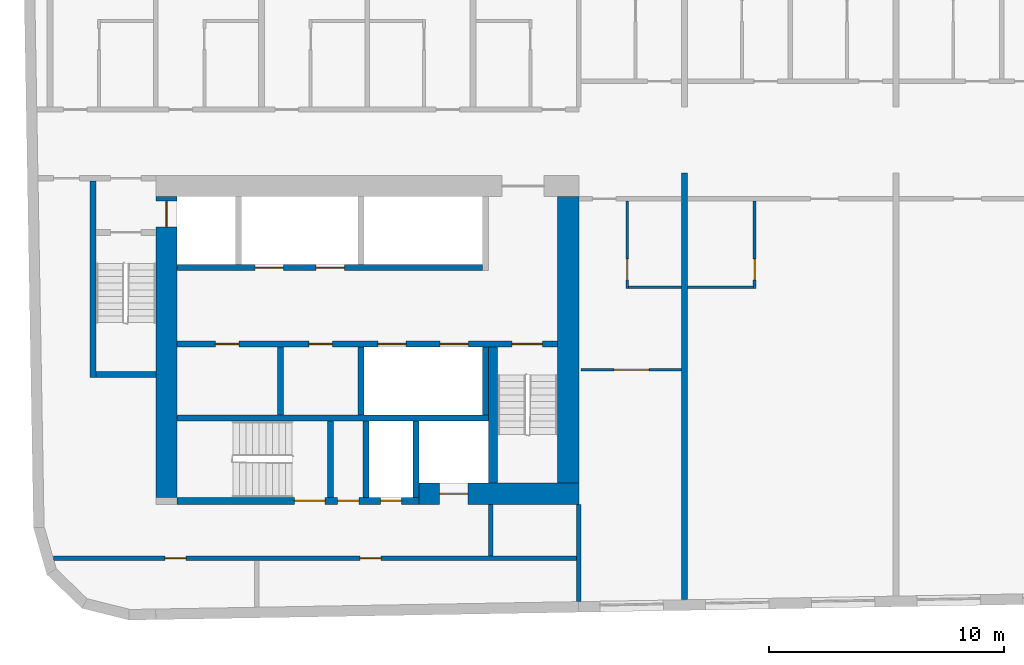
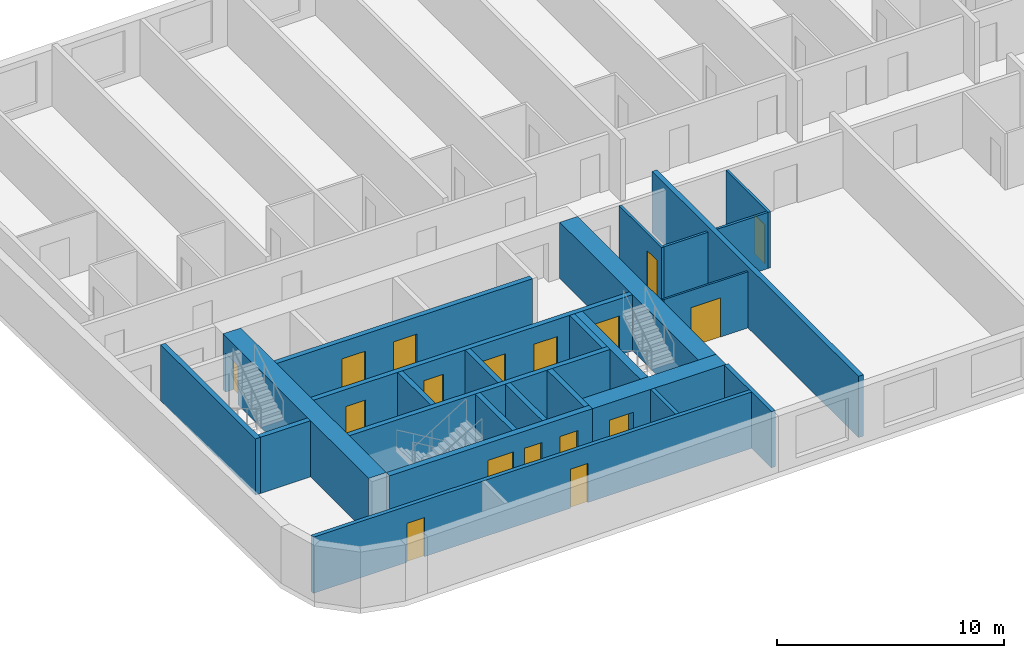
# One storey, part 2 of 11: 25 walls, 17 doors, 17 openings.
"""IFC4 building model written with IfcOpenShell, lengths in metres."""

from ifc_helpers import new_model, si_unit, direction, frame, frame_2d, origin, place, context, subcontext, project, spatial, rectangle, extrude, material, layer, layer_set, type_object, element, fill, save


model = new_model("IFC4")

# Units and contexts
model_context = context("Model", 3, precision=1e-05, world=origin(), true_north=direction((0.0, 1.0)))
body_context = subcontext(model_context, "Body", "Model", "MODEL_VIEW")
ifc_project = project(units=[si_unit("LENGTHUNIT", "METRE"), si_unit("AREAUNIT", "SQUARE_METRE"), si_unit("VOLUMEUNIT", "CUBIC_METRE"), si_unit("PLANEANGLEUNIT", "RADIAN"), si_unit("MASSUNIT", "GRAM", prefix="KILO")], contexts=[model_context])

# Site, building, storey
site_placement = place(None, origin())
site = spatial("IfcSite", under=ifc_project, at=site_placement, CompositionType="ELEMENT")
building_placement = place(site_placement, origin())
building = spatial("IfcBuilding", under=site, at=building_placement, Name="Kajstack Hotel Tower", CompositionType="ELEMENT")
storey_placement = place(building_placement, frame((0.0, 0.0, 240.800048828125)))
storey = spatial("IfcBuildingStorey", under=building, at=storey_placement, Name="L59", CompositionType="ELEMENT", Elevation=240.800048828125)

# Wall, opening, door
ifc_material_1 = material(Name="Concrete C60/75", Category="concrete")
ifc_layer_1 = layer(ifc_material_1, 0.89990234375)
ifc_layer_set_1 = layer_set([ifc_layer_1], Name="Core wall 900")
wall_type_1 = type_object("IfcWallType", Name="Core wall 900", PredefinedType="SHEAR", material=ifc_layer_set_1)
wall_1_placement = place(storey_placement, frame((-20.300048828125, -15.050048828125, 0.0), z_axis=(0.0, 0.0, 1.0), x_axis=(1.0, 0.0, 0.0)))
wall_1 = element("IfcWall", 1, at=wall_1_placement, inside=storey, type_object=wall_type_1, Name="Core wall W RS", PredefinedType="SHEAR", context=body_context, shape_type="SweptSolid", body=[
    extrude(rectangle(XDim=6.800048828125, YDim=0.89990234375, at=frame_2d((3.39990234375, 0.0))), origin(), (0.0, 0.0, 1.0), 3.02001953125),
])
opening_1_placement = place(wall_1_placement, frame((0.875, 0.0, 0.0)))
opening_1 = element("IfcOpeningElement", 2, at=opening_1_placement, cuts=wall_1, Name="Opening LD-SV1", PredefinedType="OPENING", context=body_context, shape_type="SweptSolid", body=[
    extrude(rectangle(XDim=1.199951171875, YDim=2.10009765625, at=frame_2d((0.60009765625, 1.050048828125))), frame((0.0, 0.4599609375, 0.0), z_axis=(0.0, -1.0, 0.0), x_axis=(1.0, 0.0, 0.0)), (0.0, 0.0, 1.0), 0.919921875),
])
ifc_material_2 = material(Name="Stainless steel", Category="steel")
door_type_1 = type_object("IfcDoorType", Name="Lift landing door 1200", OperationType="SLIDING_TO_LEFT", PredefinedType="DOOR", material=ifc_material_2)
door_1_placement = place(opening_1_placement, origin())
door_1 = element("IfcDoor", 3, at=door_1_placement, inside=storey, type_object=door_type_1, Name="Landing door SV1", OperationType="SLIDING_TO_LEFT", OverallHeight=2.10009765625, OverallWidth=1.199951171875, PredefinedType="DOOR", context=body_context, shape_type="SweptSolid", body=[
    extrude(rectangle(XDim=1.199951171875, YDim=2.10009765625, at=frame_2d((0.60009765625, 1.050048828125))), frame((0.0, 0.02490234375, 0.0), z_axis=(0.0, -1.0, 0.0), x_axis=(1.0, 0.0, 0.0)), (0.0, 0.0, 1.0), 0.050048828125),
])
fill(opening_1, door_1)

wall_2_placement = place(storey_placement, frame((-31.050048828125, -15.199951171875, 0.0), z_axis=(0.0, 0.0, 1.0), x_axis=(0.0, 1.0, 0.0)))
wall_2 = element("IfcWall", 4, at=wall_2_placement, inside=storey, type_object=wall_type_1, Name="Core wall W RW", PredefinedType="SHEAR", context=body_context, shape_type="SweptSolid", body=[
    extrude(rectangle(XDim=12.800048828125, YDim=0.89990234375, at=frame_2d((6.39990234375, 0.0))), origin(), (0.0, 0.0, 1.0), 3.02001953125),
])
opening_2_placement = place(wall_2_placement, frame((11.5, 0.0, 0.0)))
opening_2 = element("IfcOpeningElement", 5, at=opening_2_placement, cuts=wall_2, Name="Opening LD-FF1", PredefinedType="OPENING", context=body_context, shape_type="SweptSolid", body=[
    extrude(rectangle(XDim=1.10009765625, YDim=2.10009765625, at=frame_2d((0.550048828125, 1.050048828125))), frame((0.0, 0.4599609375, 0.0), z_axis=(0.0, -1.0, 0.0), x_axis=(1.0, 0.0, 0.0)), (0.0, 0.0, 1.0), 0.919921875),
])
door_type_2 = type_object("IfcDoorType", Name="Fire-fighting lift landing door 1100", OperationType="SLIDING_TO_LEFT", PredefinedType="DOOR", material=ifc_material_2)
door_2_placement = place(opening_2_placement, origin())
door_2 = element("IfcDoor", 6, at=door_2_placement, inside=storey, type_object=door_type_2, Name="Landing door FF1", OperationType="SLIDING_TO_RIGHT", OverallHeight=2.10009765625, OverallWidth=1.10009765625, PredefinedType="DOOR", context=body_context, shape_type="SweptSolid", body=[
    extrude(rectangle(XDim=1.10009765625, YDim=2.10009765625, at=frame_2d((0.550048828125, 1.050048828125))), frame((0.0, 0.02490234375, 0.0), z_axis=(0.0, -1.0, 0.0), x_axis=(1.0, 0.0, 0.0)), (0.0, 0.0, 1.0), 0.050048828125),
])
fill(opening_2, door_2)

# Walls
wall_3_placement = place(storey_placement, frame((-13.949951171875, -14.60009765625, 0.0), z_axis=(0.0, 0.0, 1.0), x_axis=(0.0, 1.0, 0.0)))
element("IfcWall", 7, at=wall_3_placement, inside=storey, type_object=wall_type_1, Name="Core wall W RE", PredefinedType="SHEAR", context=body_context, shape_type="SweptSolid", body=[
    extrude(rectangle(XDim=12.2001953125, YDim=0.89990234375, at=frame_2d((6.10009765625, 0.0))), origin(), (0.0, 0.0, 1.0), 3.02001953125),
])
ifc_material_3 = material(Name="Twin-frame gypsum board on steel studs, mineral wool", Category="steel")
ifc_layer_2 = layer(ifc_material_3, 0.199951171875)
ifc_layer_set_2 = layer_set([ifc_layer_2], Name="Demising wall 200")
wall_type_2 = type_object("IfcWallType", Name="Demising wall 200", PredefinedType="PARTITIONING", material=ifc_layer_set_2)
wall_4_placement = place(storey_placement, frame((-13.5, -19.64111328125, 0.0), z_axis=(0.0, 0.0, 1.0), x_axis=(0.0, 1.0, 0.0)))
element("IfcWall", 8, at=wall_4_placement, inside=storey, type_object=wall_type_2, Name="G-wall-L59-002", PredefinedType="PARTITIONING", context=body_context, shape_type="SweptSolid", body=[
    extrude(rectangle(XDim=4.14111328125, YDim=0.199951171875, at=frame_2d((2.070556640625, 0.0))), origin(), (0.0, 0.0, 1.0), 3.02001953125),
])

# Wall, opening, door
ifc_material_4 = material(Name="Gypsum board and tiled backer on steel studs", Category="steel")
ifc_layer_3 = layer(ifc_material_4, 0.125)
ifc_layer_set_3 = layer_set([ifc_layer_3], Name="En-suite wall 125")
wall_type_3 = type_object("IfcWallType", Name="En-suite wall 125", PredefinedType="PARTITIONING", material=ifc_layer_set_3)
wall_5_placement = place(storey_placement, frame((-11.43798828125, -6.324951171875, 0.0), z_axis=(0.0, 0.0, 1.0), x_axis=(0.0, 1.0, 0.0)))
wall_5 = element("IfcWall", 9, at=wall_5_placement, inside=storey, type_object=wall_type_3, Name="G-wall-L59-035", PredefinedType="PARTITIONING", context=body_context, shape_type="SweptSolid", body=[
    extrude(rectangle(XDim=3.724853515625, YDim=0.125, at=frame_2d((1.8623046875, 0.0))), origin(), (0.0, 0.0, 1.0), 3.02001953125),
])
opening_3_placement = place(wall_5_placement, frame((0.375, 0.0, 0.0)))
opening_3 = element("IfcOpeningElement", 10, at=opening_3_placement, cuts=wall_5, Name="Opening 59025", PredefinedType="OPENING", context=body_context, shape_type="SweptSolid", body=[
    extrude(rectangle(XDim=0.89990234375, YDim=2.10009765625, at=frame_2d((0.449951171875, 1.050048828125))), frame((0.0, 0.072509765625, 0.0), z_axis=(0.0, -1.0, 0.0), x_axis=(1.0, 0.0, 0.0)), (0.0, 0.0, 1.0), 0.14501953125),
])
ifc_material_5 = material(Name="Painted timber door leaf", Category="wood")
door_type_3 = type_object("IfcDoorType", Name="Room door 900", OperationType="SINGLE_SWING_LEFT", PredefinedType="DOOR", material=ifc_material_5)
door_3_placement = place(opening_3_placement, origin())
door_3 = element("IfcDoor", 11, at=door_3_placement, inside=storey, type_object=door_type_3, Name="G-door-L59-25", OperationType="SINGLE_SWING_RIGHT", OverallHeight=2.10009765625, OverallWidth=0.89990234375, PredefinedType="DOOR", context=body_context, shape_type="SweptSolid", body=[
    extrude(rectangle(XDim=0.89990234375, YDim=2.10009765625, at=frame_2d((0.449951171875, 1.050048828125))), frame((0.0, 0.02490234375, 0.0), z_axis=(0.0, -1.0, 0.0), x_axis=(1.0, 0.0, 0.0)), (0.0, 0.0, 1.0), 0.050048828125),
])
fill(opening_3, door_3)

# Wall
wall_6_placement = place(storey_placement, frame((-11.375, -6.262939453125, 0.0), z_axis=(0.0, 0.0, 1.0), x_axis=(1.0, 0.0, 0.0)))
element("IfcWall", 12, at=wall_6_placement, inside=storey, type_object=wall_type_3, Name="G-wall-L59-036", PredefinedType="PARTITIONING", context=body_context, shape_type="SweptSolid", body=[
    extrude(rectangle(XDim=2.25, YDim=0.125, at=frame_2d((1.125, 0.0))), origin(), (0.0, 0.0, 1.0), 3.02001953125),
])

# Wall, opening, door
wall_7_placement = place(storey_placement, frame((-6.012939453125, -6.324951171875, 0.0), z_axis=(0.0, 0.0, 1.0), x_axis=(0.0, 1.0, 0.0)))
wall_7 = element("IfcWall", 13, at=wall_7_placement, inside=storey, type_object=wall_type_3, Name="G-wall-L59-038", PredefinedType="PARTITIONING", context=body_context, shape_type="SweptSolid", body=[
    extrude(rectangle(XDim=3.724853515625, YDim=0.125, at=frame_2d((1.8623046875, 0.0))), origin(), (0.0, 0.0, 1.0), 3.02001953125),
])
opening_4_placement = place(wall_7_placement, frame((0.375, 0.0, 0.0)))
opening_4 = element("IfcOpeningElement", 14, at=opening_4_placement, cuts=wall_7, Name="Opening 59028", PredefinedType="OPENING", context=body_context, shape_type="SweptSolid", body=[
    extrude(rectangle(XDim=0.89990234375, YDim=2.10009765625, at=frame_2d((0.449951171875, 1.050048828125))), frame((0.0, 0.072509765625, 0.0), z_axis=(0.0, -1.0, 0.0), x_axis=(1.0, 0.0, 0.0)), (0.0, 0.0, 1.0), 0.14501953125),
])
door_4_placement = place(opening_4_placement, origin())
door_4 = element("IfcDoor", 15, at=door_4_placement, inside=storey, type_object=door_type_3, Name="G-door-L59-28", OperationType="SINGLE_SWING_LEFT", OverallHeight=2.10009765625, OverallWidth=0.89990234375, PredefinedType="DOOR", context=body_context, shape_type="SweptSolid", body=[
    extrude(rectangle(XDim=0.89990234375, YDim=2.10009765625, at=frame_2d((0.449951171875, 1.050048828125))), frame((0.0, 0.02490234375, 0.0), z_axis=(0.0, -1.0, 0.0), x_axis=(1.0, 0.0, 0.0)), (0.0, 0.0, 1.0), 0.050048828125),
])
fill(opening_4, door_4)

# Walls
wall_8_placement = place(storey_placement, frame((-8.875, -6.262939453125, 0.0), z_axis=(0.0, 0.0, 1.0), x_axis=(1.0, 0.0, 0.0)))
element("IfcWall", 16, at=wall_8_placement, inside=storey, type_object=wall_type_3, Name="G-wall-L59-039", PredefinedType="PARTITIONING", context=body_context, shape_type="SweptSolid", body=[
    extrude(rectangle(XDim=2.800048828125, YDim=0.125, at=frame_2d((1.39990234375, 0.0))), origin(), (0.0, 0.0, 1.0), 3.02001953125),
])
ifc_material_6 = material(Name="Concrete C50/60", Category="concrete")
ifc_layer_4 = layer(ifc_material_6, 0.300048828125)
ifc_layer_set_4 = layer_set([ifc_layer_4], Name="Hoistway divider wall 300")
wall_type_4 = type_object("IfcWallType", Name="Hoistway divider wall 300", PredefinedType="SHEAR", material=ifc_layer_set_4)
wall_9_placement = place(storey_placement, frame((-22.77490234375, -11.699951171875, 0.0), z_axis=(0.0, 0.0, 1.0), x_axis=(0.0, 1.0, 0.0)))
element("IfcWall", 17, at=wall_9_placement, inside=storey, type_object=wall_type_4, Name="Core wall W BP2", PredefinedType="SHEAR", context=body_context, shape_type="SweptSolid", body=[
    extrude(rectangle(XDim=2.89990234375, YDim=0.25, at=frame_2d((1.449951171875, 0.0))), origin(), (0.0, 0.0, 1.0), 3.02001953125),
])

# Wall, opening, door
ifc_material_7 = material(Name="Gypsum board on steel studs", Category="steel")
ifc_layer_5 = layer(ifc_material_7, 0.10009765625)
ifc_layer_set_5 = layer_set([ifc_layer_5], Name="Partition 100")
wall_type_5 = type_object("IfcWallType", Name="Partition 100", PredefinedType="PARTITIONING", material=ifc_layer_set_5)
wall_10_placement = place(storey_placement, frame((-13.39990234375, -9.77490234375, 0.0), z_axis=(0.0, 0.0, 1.0), x_axis=(1.0, 0.0, 0.0)))
wall_10 = element("IfcWall", 18, at=wall_10_placement, inside=storey, type_object=wall_type_5, Name="G-wall-L59-037", PredefinedType="PARTITIONING", context=body_context, shape_type="SweptSolid", body=[
    extrude(rectangle(XDim=4.27490234375, YDim=0.10009765625, at=frame_2d((2.137451171875, 0.0))), origin(), (0.0, 0.0, 1.0), 3.02001953125),
])
opening_5_placement = place(wall_10_placement, frame((1.387939453125, 0.0, 0.0)))
opening_5 = element("IfcOpeningElement", 19, at=opening_5_placement, cuts=wall_10, Name="Opening 59026", PredefinedType="OPENING", context=body_context, shape_type="SweptSolid", body=[
    extrude(rectangle(XDim=1.5, YDim=2.10009765625, at=frame_2d((0.75, 1.050048828125))), frame((0.0, 0.06005859375, 0.0), z_axis=(0.0, -1.0, 0.0), x_axis=(1.0, 0.0, 0.0)), (0.0, 0.0, 1.0), 0.1201171875),
])
ifc_material_8 = material(Name="Painted timber door leaves, glazed panels", Category="wood")
door_type_4 = type_object("IfcDoorType", Name="Double door 1500", OperationType="SINGLE_SWING_LEFT", PredefinedType="DOOR", material=ifc_material_8)
door_5_placement = place(opening_5_placement, origin())
door_5 = element("IfcDoor", 20, at=door_5_placement, inside=storey, type_object=door_type_4, Name="G-door-L59-26", OperationType="SINGLE_SWING_LEFT", OverallHeight=2.10009765625, OverallWidth=1.5, PredefinedType="DOOR", context=body_context, shape_type="SweptSolid", body=[
    extrude(rectangle(XDim=1.5, YDim=2.10009765625, at=frame_2d((0.75, 1.050048828125))), frame((0.0, 0.02490234375, 0.0), z_axis=(0.0, -1.0, 0.0), x_axis=(1.0, 0.0, 0.0)), (0.0, 0.0, 1.0), 0.050048828125),
])
fill(opening_5, door_5)

# Walls
ifc_material_9 = material(Name="Concrete C45/55", Category="concrete")
ifc_layer_6 = layer(ifc_material_9, 0.25)
ifc_layer_set_6 = layer_set([ifc_layer_6], Name="RC cross wall 250 C45/55")
wall_type_6 = type_object("IfcWallType", Name="RC cross wall 250 C45/55", PredefinedType="SHEAR", material=ifc_layer_set_6)
wall_11_placement = place(storey_placement, frame((-9.0, -19.55029296875, 0.0), z_axis=(0.0, 0.0, 1.0), x_axis=(0.0, 1.0, 0.0)))
element("IfcWall", 21, at=wall_11_placement, inside=storey, type_object=wall_type_6, Name="S-wall-L59-04", PredefinedType="SHEAR", context=body_context, shape_type="SweptSolid", body=[
    extrude(rectangle(XDim=18.150390625, YDim=0.25, at=frame_2d((9.0751953125, 0.0))), origin(), (0.0, 0.0, 1.0), 3.300048828125),
])
ifc_material_10 = material(Name="Concrete block masonry", Category="masonry")
ifc_layer_7 = layer(ifc_material_10, 0.25)
ifc_layer_set_7 = layer_set([ifc_layer_7], Name="Riser partition 250")
wall_type_7 = type_object("IfcWallType", Name="Riser partition 250", PredefinedType="PARTITIONING", material=ifc_layer_set_7)
wall_12_placement = place(storey_placement, frame((-26.199951171875, -11.699951171875, 0.0), z_axis=(0.0, 0.0, 1.0), x_axis=(0.0, 1.0, 0.0)))
element("IfcWall", 22, at=wall_12_placement, inside=storey, type_object=wall_type_7, Name="Partition W BF0", PredefinedType="PARTITIONING", context=body_context, shape_type="SweptSolid", body=[
    extrude(rectangle(XDim=2.89990234375, YDim=0.25, at=frame_2d((1.449951171875, 0.0))), origin(), (0.0, 0.0, 1.0), 3.02001953125),
])
wall_13_placement = place(storey_placement, frame((-22.550048828125, -15.199951171875, 0.0), z_axis=(0.0, 0.0, 1.0), x_axis=(0.0, 1.0, 0.0)))
element("IfcWall", 23, at=wall_13_placement, inside=storey, type_object=wall_type_7, Name="Partition W SZ0", PredefinedType="PARTITIONING", context=body_context, shape_type="SweptSolid", body=[
    extrude(rectangle(XDim=3.25, YDim=0.25, at=frame_2d((1.625, 0.0))), origin(), (0.0, 0.0, 1.0), 3.02001953125),
])
ifc_material_11 = material(Name="Gypsum board on steel studs, mineral wool", Category="steel")
ifc_layer_8 = layer(ifc_material_11, 0.199951171875)
ifc_layer_set_8 = layer_set([ifc_layer_8], Name="Service partition 200")
wall_type_8 = type_object("IfcWallType", Name="Service partition 200", PredefinedType="PARTITIONING", material=ifc_layer_set_8)
wall_14_placement = place(storey_placement, frame((-17.25, -17.699951171875, 0.0), z_axis=(0.0, 0.0, 1.0), x_axis=(0.0, 1.0, 0.0)))
element("IfcWall", 24, at=wall_14_placement, inside=storey, type_object=wall_type_8, Name="Partition W SCE", PredefinedType="PARTITIONING", context=body_context, shape_type="SweptSolid", body=[
    extrude(rectangle(XDim=2.199951171875, YDim=0.199951171875, at=frame_2d((1.10009765625, 0.0))), origin(), (0.0, 0.0, 1.0), 3.02001953125),
])

# Wall, openings, doors
wall_15_placement = place(storey_placement, frame((-35.86376953125, -17.800048828125, 0.0), z_axis=(0.0, 0.0, 1.0), x_axis=(1.0, 0.0, 0.0)))
wall_15 = element("IfcWall", 25, at=wall_15_placement, inside=storey, type_object=wall_type_8, Name="Partition W SLN", PredefinedType="PARTITIONING", context=body_context, shape_type="SweptSolid", body=[
    extrude(rectangle(XDim=22.263671875, YDim=0.199951171875, at=frame_2d((11.1318359375, 0.0))), origin(), (0.0, 0.0, 1.0), 3.02001953125),
])
opening_6_placement = place(wall_15_placement, frame((4.751220703125, 0.0, 0.0)))
opening_6 = element("IfcOpeningElement", 26, at=opening_6_placement, cuts=wall_15, Name="Opening 59W17", PredefinedType="OPENING", context=body_context, shape_type="SweptSolid", body=[
    extrude(rectangle(XDim=0.89990234375, YDim=2.10009765625, at=frame_2d((0.449951171875, 1.050048828125))), frame((0.0, 0.10986328125, 0.0), z_axis=(0.0, -1.0, 0.0), x_axis=(1.0, 0.0, 0.0)), (0.0, 0.0, 1.0), 0.219970703125),
])
opening_7_placement = place(wall_15_placement, frame((13.05126953125, 0.0, 0.0)))
opening_7 = element("IfcOpeningElement", 27, at=opening_7_placement, cuts=wall_15, Name="Opening 59W18", PredefinedType="OPENING", context=body_context, shape_type="SweptSolid", body=[
    extrude(rectangle(XDim=0.89990234375, YDim=2.10009765625, at=frame_2d((0.449951171875, 1.050048828125))), frame((0.0, 0.10986328125, 0.0), z_axis=(0.0, -1.0, 0.0), x_axis=(1.0, 0.0, 0.0)), (0.0, 0.0, 1.0), 0.219970703125),
])
ifc_material_12 = material(Name="Timber leaf, fire-rated", Category="wood")
door_type_5 = type_object("IfcDoorType", Name="Service door 900", OperationType="SINGLE_SWING_LEFT", PredefinedType="DOOR", material=ifc_material_12)
door_6_placement = place(opening_6_placement, origin())
door_6 = element("IfcDoor", 28, at=door_6_placement, inside=storey, type_object=door_type_5, Name="Door 59W17", OperationType="SINGLE_SWING_RIGHT", OverallHeight=2.10009765625, OverallWidth=0.89990234375, PredefinedType="DOOR", context=body_context, shape_type="SweptSolid", body=[
    extrude(rectangle(XDim=0.89990234375, YDim=2.10009765625, at=frame_2d((0.449951171875, 1.050048828125))), frame((0.0, 0.02490234375, 0.0), z_axis=(0.0, -1.0, 0.0), x_axis=(1.0, 0.0, 0.0)), (0.0, 0.0, 1.0), 0.050048828125),
])
fill(opening_6, door_6)
door_7_placement = place(opening_7_placement, origin())
door_7 = element("IfcDoor", 29, at=door_7_placement, inside=storey, type_object=door_type_5, Name="Door 59W18", OperationType="SINGLE_SWING_RIGHT", OverallHeight=2.10009765625, OverallWidth=0.89990234375, PredefinedType="DOOR", context=body_context, shape_type="SweptSolid", body=[
    extrude(rectangle(XDim=0.89990234375, YDim=2.10009765625, at=frame_2d((0.449951171875, 1.050048828125))), frame((0.0, 0.02490234375, 0.0), z_axis=(0.0, -1.0, 0.0), x_axis=(1.0, 0.0, 0.0)), (0.0, 0.0, 1.0), 0.050048828125),
])
fill(opening_7, door_7)

ifc_layer_9 = layer(ifc_material_6, 0.25)
ifc_layer_set_9 = layer_set([ifc_layer_9], Name="Shaft wall 250")
wall_type_9 = type_object("IfcWallType", Name="Shaft wall 250", PredefinedType="SHEAR", material=ifc_layer_set_9)
wall_16_placement = place(storey_placement, frame((-30.60009765625, -15.35009765625, 0.0), z_axis=(0.0, 0.0, 1.0), x_axis=(1.0, 0.0, 0.0)))
wall_16 = element("IfcWall", 30, at=wall_16_placement, inside=storey, type_object=wall_type_9, Name="Core wall W RSS", PredefinedType="SHEAR", context=body_context, shape_type="SweptSolid", body=[
    extrude(rectangle(XDim=10.300048828125, YDim=0.300048828125, at=frame_2d((5.14990234375, 0.0))), origin(), (0.0, 0.0, 1.0), 3.02001953125),
])
opening_8_placement = place(wall_16_placement, frame((5.0, 0.0, 0.0)))
opening_8 = element("IfcOpeningElement", 31, at=opening_8_placement, cuts=wall_16, Name="Opening 59W12", PredefinedType="OPENING", context=body_context, shape_type="SweptSolid", body=[
    extrude(rectangle(XDim=1.300048828125, YDim=2.10009765625, at=frame_2d((0.64990234375, 1.050048828125))), frame((0.0, 0.159912109375, 0.0), z_axis=(0.0, -1.0, 0.0), x_axis=(1.0, 0.0, 0.0)), (0.0, 0.0, 1.0), 0.320068359375),
])
opening_9_placement = place(wall_16_placement, frame((6.83740234375, 0.0, 0.0)))
opening_9 = element("IfcOpeningElement", 32, at=opening_9_placement, cuts=wall_16, Name="Opening 59W13", PredefinedType="OPENING", context=body_context, shape_type="SweptSolid", body=[
    extrude(rectangle(XDim=0.89990234375, YDim=2.10009765625, at=frame_2d((0.449951171875, 1.050048828125))), frame((0.0, 0.159912109375, 0.0), z_axis=(0.0, -1.0, 0.0), x_axis=(1.0, 0.0, 0.0)), (0.0, 0.0, 1.0), 0.320068359375),
])
opening_10_placement = place(wall_16_placement, frame((8.66259765625, 0.0, 0.0)))
opening_10 = element("IfcOpeningElement", 33, at=opening_10_placement, cuts=wall_16, Name="Opening 59W14", PredefinedType="OPENING", context=body_context, shape_type="SweptSolid", body=[
    extrude(rectangle(XDim=0.89990234375, YDim=2.10009765625, at=frame_2d((0.449951171875, 1.050048828125))), frame((0.0, 0.159912109375, 0.0), z_axis=(0.0, -1.0, 0.0), x_axis=(1.0, 0.0, 0.0)), (0.0, 0.0, 1.0), 0.320068359375),
])
ifc_material_13 = material(Name="Steel leaf, fire-rated", Category="steel")
door_type_6 = type_object("IfcDoorType", Name="Riser door 900", OperationType="SINGLE_SWING_LEFT", PredefinedType="DOOR", material=ifc_material_13)
door_8_placement = place(opening_10_placement, origin())
door_8 = element("IfcDoor", 34, at=door_8_placement, inside=storey, type_object=door_type_6, Name="Door 59W14", OperationType="SINGLE_SWING_LEFT", OverallHeight=2.10009765625, OverallWidth=0.89990234375, PredefinedType="DOOR", context=body_context, shape_type="SweptSolid", body=[
    extrude(rectangle(XDim=0.89990234375, YDim=2.10009765625, at=frame_2d((0.449951171875, 1.050048828125))), frame((0.0, 0.02490234375, 0.0), z_axis=(0.0, -1.0, 0.0), x_axis=(1.0, 0.0, 0.0)), (0.0, 0.0, 1.0), 0.050048828125),
])
fill(opening_10, door_8)
door_9_placement = place(opening_9_placement, origin())
door_9 = element("IfcDoor", 35, at=door_9_placement, inside=storey, type_object=door_type_5, Name="Door 59W13", OperationType="SINGLE_SWING_LEFT", OverallHeight=2.10009765625, OverallWidth=0.89990234375, PredefinedType="DOOR", context=body_context, shape_type="SweptSolid", body=[
    extrude(rectangle(XDim=0.89990234375, YDim=2.10009765625, at=frame_2d((0.449951171875, 1.050048828125))), frame((0.0, 0.02490234375, 0.0), z_axis=(0.0, -1.0, 0.0), x_axis=(1.0, 0.0, 0.0)), (0.0, 0.0, 1.0), 0.050048828125),
])
fill(opening_9, door_9)
door_type_7 = type_object("IfcDoorType", Name="Stair door 1300", OperationType="SINGLE_SWING_LEFT", PredefinedType="DOOR", material=ifc_material_13)
door_10_placement = place(opening_8_placement, origin())
door_10 = element("IfcDoor", 36, at=door_10_placement, inside=storey, type_object=door_type_7, Name="Door 59W12", OperationType="SINGLE_SWING_RIGHT", OverallHeight=2.10009765625, OverallWidth=1.300048828125, PredefinedType="DOOR", context=body_context, shape_type="SweptSolid", body=[
    extrude(rectangle(XDim=1.300048828125, YDim=2.10009765625, at=frame_2d((0.64990234375, 1.050048828125))), frame((0.0, 0.02490234375, 0.0), z_axis=(0.0, -1.0, 0.0), x_axis=(1.0, 0.0, 0.0)), (0.0, 0.0, 1.0), 0.050048828125),
])
fill(opening_8, door_10)

wall_17_placement = place(storey_placement, frame((-30.60009765625, -5.425048828125, 0.0), z_axis=(0.0, 0.0, 1.0), x_axis=(1.0, 0.0, 0.0)))
wall_17 = element("IfcWall", 37, at=wall_17_placement, inside=storey, type_object=wall_type_9, Name="Core wall W FA", PredefinedType="SHEAR", context=body_context, shape_type="SweptSolid", body=[
    extrude(rectangle(XDim=13.0, YDim=0.25, at=frame_2d((6.5, 0.0))), origin(), (0.0, 0.0, 1.0), 3.02001953125),
])
opening_11_placement = place(wall_17_placement, frame((3.324951171875, 0.0, 0.0)))
opening_11 = element("IfcOpeningElement", 38, at=opening_11_placement, cuts=wall_17, Name="Opening LD-MR3", PredefinedType="OPENING", context=body_context, shape_type="SweptSolid", body=[
    extrude(rectangle(XDim=1.199951171875, YDim=2.10009765625, at=frame_2d((0.60009765625, 1.050048828125))), frame((0.0, 0.135009765625, 0.0), z_axis=(0.0, -1.0, 0.0), x_axis=(1.0, 0.0, 0.0)), (0.0, 0.0, 1.0), 0.27001953125),
])
opening_12_placement = place(wall_17_placement, frame((5.925048828125, 0.0, 0.0)))
opening_12 = element("IfcOpeningElement", 39, at=opening_12_placement, cuts=wall_17, Name="Opening LD-MR4", PredefinedType="OPENING", context=body_context, shape_type="SweptSolid", body=[
    extrude(rectangle(XDim=1.199951171875, YDim=2.10009765625, at=frame_2d((0.60009765625, 1.050048828125))), frame((0.0, 0.135009765625, 0.0), z_axis=(0.0, -1.0, 0.0), x_axis=(1.0, 0.0, 0.0)), (0.0, 0.0, 1.0), 0.27001953125),
])
door_11_placement = place(opening_11_placement, origin())
door_11 = element("IfcDoor", 40, at=door_11_placement, inside=storey, type_object=door_type_1, Name="Landing door MR3", OperationType="SLIDING_TO_RIGHT", OverallHeight=2.10009765625, OverallWidth=1.199951171875, PredefinedType="DOOR", context=body_context, shape_type="SweptSolid", body=[
    extrude(rectangle(XDim=1.199951171875, YDim=2.10009765625, at=frame_2d((0.60009765625, 1.050048828125))), frame((0.0, 0.02490234375, 0.0), z_axis=(0.0, -1.0, 0.0), x_axis=(1.0, 0.0, 0.0)), (0.0, 0.0, 1.0), 0.050048828125),
])
fill(opening_11, door_11)
door_12_placement = place(opening_12_placement, origin())
door_12 = element("IfcDoor", 41, at=door_12_placement, inside=storey, type_object=door_type_1, Name="Landing door MR4", OperationType="SLIDING_TO_RIGHT", OverallHeight=2.10009765625, OverallWidth=1.199951171875, PredefinedType="DOOR", context=body_context, shape_type="SweptSolid", body=[
    extrude(rectangle(XDim=1.199951171875, YDim=2.10009765625, at=frame_2d((0.60009765625, 1.050048828125))), frame((0.0, 0.02490234375, 0.0), z_axis=(0.0, -1.0, 0.0), x_axis=(1.0, 0.0, 0.0)), (0.0, 0.0, 1.0), 0.050048828125),
])
fill(opening_12, door_12)

wall_18_placement = place(storey_placement, frame((-30.60009765625, -8.675048828125, 0.0), z_axis=(0.0, 0.0, 1.0), x_axis=(1.0, 0.0, 0.0)))
wall_18 = element("IfcWall", 42, at=wall_18_placement, inside=storey, type_object=wall_type_9, Name="Core wall W FB", PredefinedType="SHEAR", context=body_context, shape_type="SweptSolid", body=[
    extrude(rectangle(XDim=16.2001953125, YDim=0.25, at=frame_2d((8.10009765625, 0.0))), origin(), (0.0, 0.0, 1.0), 3.02001953125),
])
opening_13_placement = place(wall_18_placement, frame((8.550048828125, 0.0, 0.0)))
opening_13 = element("IfcOpeningElement", 43, at=opening_13_placement, cuts=wall_18, Name="Opening LD-MR1", PredefinedType="OPENING", context=body_context, shape_type="SweptSolid", body=[
    extrude(rectangle(XDim=1.199951171875, YDim=2.10009765625, at=frame_2d((0.60009765625, 1.050048828125))), frame((0.0, 0.135009765625, 0.0), z_axis=(0.0, -1.0, 0.0), x_axis=(1.0, 0.0, 0.0)), (0.0, 0.0, 1.0), 0.27001953125),
])
opening_14_placement = place(wall_18_placement, frame((11.199951171875, 0.0, 0.0)))
opening_14 = element("IfcOpeningElement", 44, at=opening_14_placement, cuts=wall_18, Name="Opening LD-MR2", PredefinedType="OPENING", context=body_context, shape_type="SweptSolid", body=[
    extrude(rectangle(XDim=1.199951171875, YDim=2.10009765625, at=frame_2d((0.60009765625, 1.050048828125))), frame((0.0, 0.135009765625, 0.0), z_axis=(0.0, -1.0, 0.0), x_axis=(1.0, 0.0, 0.0)), (0.0, 0.0, 1.0), 0.27001953125),
])
opening_15_placement = place(wall_18_placement, frame((14.25, 0.0, 0.0)))
opening_15 = element("IfcOpeningElement", 45, at=opening_15_placement, cuts=wall_18, Name="Opening 59W11", PredefinedType="OPENING", context=body_context, shape_type="SweptSolid", body=[
    extrude(rectangle(XDim=1.300048828125, YDim=2.10009765625, at=frame_2d((0.64990234375, 1.050048828125))), frame((0.0, 0.135009765625, 0.0), z_axis=(0.0, -1.0, 0.0), x_axis=(1.0, 0.0, 0.0)), (0.0, 0.0, 1.0), 0.27001953125),
])
opening_16_placement = place(wall_18_placement, frame((1.637451171875, 0.0, 0.0)))
opening_16 = element("IfcOpeningElement", 46, at=opening_16_placement, cuts=wall_18, Name="Opening 59W15", PredefinedType="OPENING", context=body_context, shape_type="SweptSolid", body=[
    extrude(rectangle(XDim=1.0, YDim=2.10009765625, at=frame_2d((0.5, 1.050048828125))), frame((0.0, 0.135009765625, 0.0), z_axis=(0.0, -1.0, 0.0), x_axis=(1.0, 0.0, 0.0)), (0.0, 0.0, 1.0), 0.27001953125),
])
opening_17_placement = place(wall_18_placement, frame((5.612548828125, 0.0, 0.0)))
opening_17 = element("IfcOpeningElement", 47, at=opening_17_placement, cuts=wall_18, Name="Opening 59W16", PredefinedType="OPENING", context=body_context, shape_type="SweptSolid", body=[
    extrude(rectangle(XDim=1.0, YDim=2.10009765625, at=frame_2d((0.5, 1.050048828125))), frame((0.0, 0.135009765625, 0.0), z_axis=(0.0, -1.0, 0.0), x_axis=(1.0, 0.0, 0.0)), (0.0, 0.0, 1.0), 0.27001953125),
])
door_13_placement = place(opening_13_placement, origin())
door_13 = element("IfcDoor", 48, at=door_13_placement, inside=storey, type_object=door_type_1, Name="Landing door MR1", OperationType="SLIDING_TO_LEFT", OverallHeight=2.10009765625, OverallWidth=1.199951171875, PredefinedType="DOOR", context=body_context, shape_type="SweptSolid", body=[
    extrude(rectangle(XDim=1.199951171875, YDim=2.10009765625, at=frame_2d((0.60009765625, 1.050048828125))), frame((0.0, 0.02490234375, 0.0), z_axis=(0.0, -1.0, 0.0), x_axis=(1.0, 0.0, 0.0)), (0.0, 0.0, 1.0), 0.050048828125),
])
fill(opening_13, door_13)
door_14_placement = place(opening_14_placement, origin())
door_14 = element("IfcDoor", 49, at=door_14_placement, inside=storey, type_object=door_type_1, Name="Landing door MR2", OperationType="SLIDING_TO_RIGHT", OverallHeight=2.10009765625, OverallWidth=1.199951171875, PredefinedType="DOOR", context=body_context, shape_type="SweptSolid", body=[
    extrude(rectangle(XDim=1.199951171875, YDim=2.10009765625, at=frame_2d((0.60009765625, 1.050048828125))), frame((0.0, 0.02490234375, 0.0), z_axis=(0.0, -1.0, 0.0), x_axis=(1.0, 0.0, 0.0)), (0.0, 0.0, 1.0), 0.050048828125),
])
fill(opening_14, door_14)
door_type_8 = type_object("IfcDoorType", Name="Service room door 1000", OperationType="SINGLE_SWING_LEFT", PredefinedType="DOOR", material=ifc_material_12)
door_15_placement = place(opening_16_placement, origin())
door_15 = element("IfcDoor", 50, at=door_15_placement, inside=storey, type_object=door_type_8, Name="Door 59W15", OperationType="SINGLE_SWING_RIGHT", OverallHeight=2.10009765625, OverallWidth=1.0, PredefinedType="DOOR", context=body_context, shape_type="SweptSolid", body=[
    extrude(rectangle(XDim=1.0, YDim=2.10009765625, at=frame_2d((0.5, 1.050048828125))), frame((0.0, 0.02490234375, 0.0), z_axis=(0.0, -1.0, 0.0), x_axis=(1.0, 0.0, 0.0)), (0.0, 0.0, 1.0), 0.050048828125),
])
fill(opening_16, door_15)
door_16_placement = place(opening_17_placement, origin())
door_16 = element("IfcDoor", 51, at=door_16_placement, inside=storey, type_object=door_type_8, Name="Door 59W16", OperationType="SINGLE_SWING_RIGHT", OverallHeight=2.10009765625, OverallWidth=1.0, PredefinedType="DOOR", context=body_context, shape_type="SweptSolid", body=[
    extrude(rectangle(XDim=1.0, YDim=2.10009765625, at=frame_2d((0.5, 1.050048828125))), frame((0.0, 0.02490234375, 0.0), z_axis=(0.0, -1.0, 0.0), x_axis=(1.0, 0.0, 0.0)), (0.0, 0.0, 1.0), 0.050048828125),
])
fill(opening_17, door_16)
door_17_placement = place(opening_15_placement, origin())
door_17 = element("IfcDoor", 52, at=door_17_placement, inside=storey, type_object=door_type_7, Name="Door 59W11", OperationType="SINGLE_SWING_RIGHT", OverallHeight=2.10009765625, OverallWidth=1.300048828125, PredefinedType="DOOR", context=body_context, shape_type="SweptSolid", body=[
    extrude(rectangle(XDim=1.300048828125, YDim=2.10009765625, at=frame_2d((0.64990234375, 1.050048828125))), frame((0.0, 0.02490234375, 0.0), z_axis=(0.0, -1.0, 0.0), x_axis=(1.0, 0.0, 0.0)), (0.0, 0.0, 1.0), 0.050048828125),
])
fill(opening_15, door_17)

# Walls
wall_19_placement = place(storey_placement, frame((-30.60009765625, -11.824951171875, 0.0), z_axis=(0.0, 0.0, 1.0), x_axis=(1.0, 0.0, 0.0)))
element("IfcWall", 53, at=wall_19_placement, inside=storey, type_object=wall_type_9, Name="Core wall W RB", PredefinedType="SHEAR", context=body_context, shape_type="SweptSolid", body=[
    extrude(rectangle(XDim=13.25, YDim=0.25, at=frame_2d((6.625, 0.0))), origin(), (0.0, 0.0, 1.0), 3.02001953125),
])
wall_20_placement = place(storey_placement, frame((-17.47509765625, -11.699951171875, 0.0), z_axis=(0.0, 0.0, 1.0), x_axis=(0.0, 1.0, 0.0)))
element("IfcWall", 54, at=wall_20_placement, inside=storey, type_object=wall_type_9, Name="Core wall W BE", PredefinedType="SHEAR", context=body_context, shape_type="SweptSolid", body=[
    extrude(rectangle(XDim=2.89990234375, YDim=0.25, at=frame_2d((1.449951171875, 0.0))), origin(), (0.0, 0.0, 1.0), 3.02001953125),
])
wall_21_placement = place(storey_placement, frame((-20.425048828125, -15.199951171875, 0.0), z_axis=(0.0, 0.0, 1.0), x_axis=(0.0, 1.0, 0.0)))
element("IfcWall", 55, at=wall_21_placement, inside=storey, type_object=wall_type_9, Name="Core wall W SVW", PredefinedType="SHEAR", context=body_context, shape_type="SweptSolid", body=[
    extrude(rectangle(XDim=3.25, YDim=0.25, at=frame_2d((1.625, 0.0))), origin(), (0.0, 0.0, 1.0), 3.02001953125),
])
ifc_material_14 = material(Name="Concrete C40/50", Category="concrete")
ifc_layer_10 = layer(ifc_material_14, 0.25)
ifc_layer_set_10 = layer_set([ifc_layer_10], Name="Stair enclosure wall 250")
wall_type_10 = type_object("IfcWallType", Name="Stair enclosure wall 250", PredefinedType="SHEAR", material=ifc_layer_set_10)
wall_22_placement = place(storey_placement, frame((-34.175048828125, -10.10009765625, 0.0), z_axis=(0.0, 0.0, 1.0), x_axis=(0.0, 1.0, 0.0)))
element("IfcWall", 56, at=wall_22_placement, inside=storey, type_object=wall_type_10, Name="Core wall W W1W", PredefinedType="SHEAR", context=body_context, shape_type="SweptSolid", body=[
    extrude(rectangle(XDim=8.35009765625, YDim=0.25, at=frame_2d((4.175048828125, 0.0))), origin(), (0.0, 0.0, 1.0), 3.02001953125),
])
wall_23_placement = place(storey_placement, frame((-34.050048828125, -9.97509765625, 0.0), z_axis=(0.0, 0.0, 1.0), x_axis=(1.0, 0.0, 0.0)))
element("IfcWall", 57, at=wall_23_placement, inside=storey, type_object=wall_type_10, Name="Core wall W W1S", PredefinedType="SHEAR", context=body_context, shape_type="SweptSolid", body=[
    extrude(rectangle(XDim=2.550048828125, YDim=0.25, at=frame_2d((1.27490234375, 0.0))), origin(), (0.0, 0.0, 1.0), 3.02001953125),
])
ifc_layer_11 = layer(ifc_material_6, 0.35009765625)
ifc_layer_set_11 = layer_set([ifc_layer_11], Name="Stair enclosure wall 350")
wall_type_11 = type_object("IfcWallType", Name="Stair enclosure wall 350", PredefinedType="SHEAR", material=ifc_layer_set_11)
wall_24_placement = place(storey_placement, frame((-24.074951171875, -15.199951171875, 0.0), z_axis=(0.0, 0.0, 1.0), x_axis=(0.0, 1.0, 0.0)))
element("IfcWall", 58, at=wall_24_placement, inside=storey, type_object=wall_type_11, Name="Core wall W W3E", PredefinedType="SHEAR", context=body_context, shape_type="SweptSolid", body=[
    extrude(rectangle(XDim=3.25, YDim=0.25, at=frame_2d((1.625, 0.0))), origin(), (0.0, 0.0, 1.0), 3.02001953125),
])
ifc_layer_12 = layer(ifc_material_6, 0.39990234375)
ifc_layer_set_12 = layer_set([ifc_layer_12], Name="Stair wall 400")
wall_type_12 = type_object("IfcWallType", Name="Stair wall 400", PredefinedType="SHEAR", material=ifc_layer_set_12)
wall_25_placement = place(storey_placement, frame((-17.14990234375, -14.60009765625, 0.0), z_axis=(0.0, 0.0, 1.0), x_axis=(0.0, 1.0, 0.0)))
element("IfcWall", 59, at=wall_25_placement, inside=storey, type_object=wall_type_12, Name="Core wall W WW2", PredefinedType="SHEAR", context=body_context, shape_type="SweptSolid", body=[
    extrude(rectangle(XDim=5.800048828125, YDim=0.39990234375, at=frame_2d((2.89990234375, 0.0))), origin(), (0.0, 0.0, 1.0), 3.02001953125),
])

save(model, "model.ifc")
